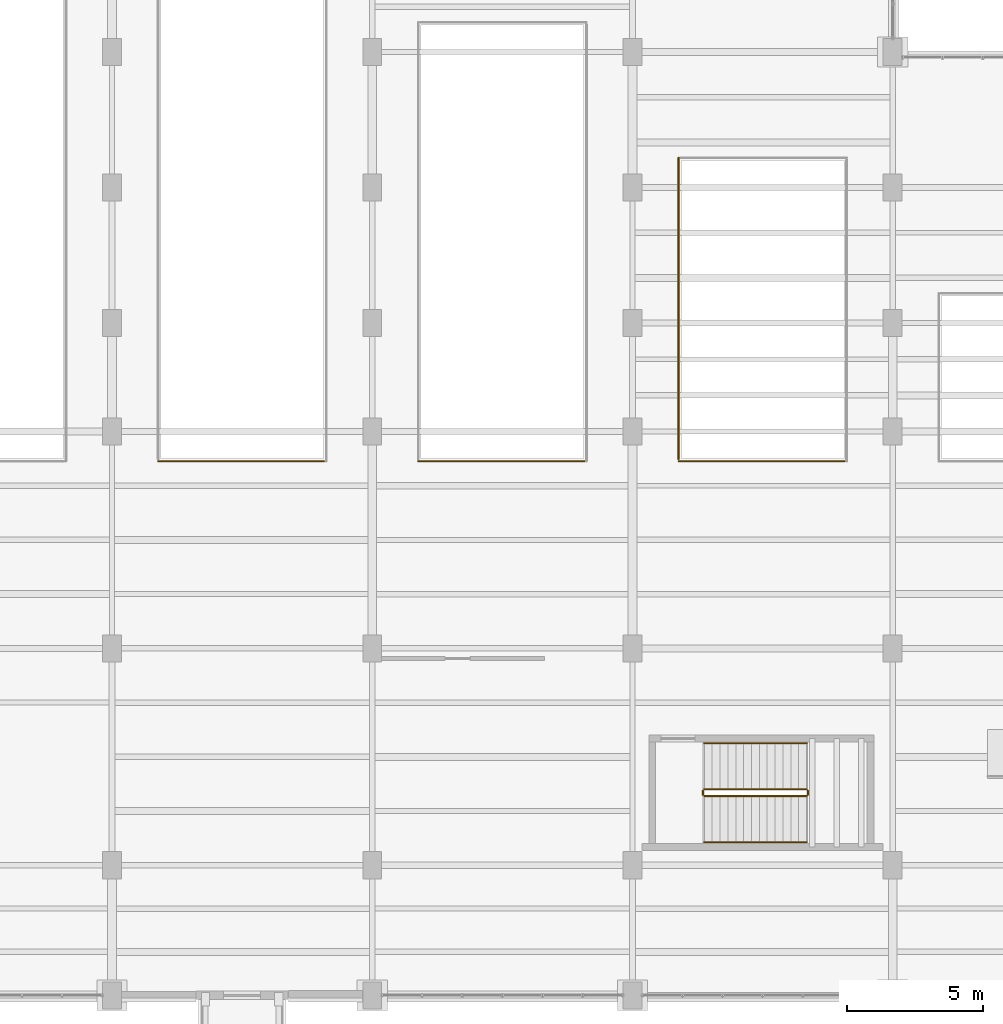
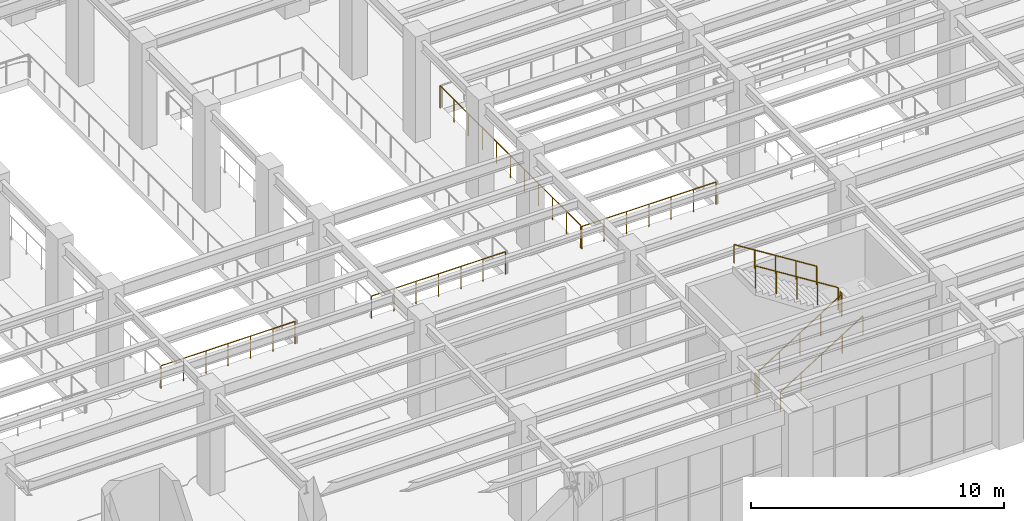
# One storey, part 172 of 174: 10 railings.
"""IFC4 building model written with IfcOpenShell, lengths in metres."""

from ifc_helpers import new_model, si_unit, direction, frame, origin, origin_2d, place, context, subcontext, project, spatial, circle, extrude, material, type_object, element, save


model = new_model("IFC4")

# Units and contexts
model_context = context("Model", 3, precision=1e-05, world=origin(), true_north=direction((0.0, 1.0)))
body_context = subcontext(model_context, "Body", "Model", "MODEL_VIEW")
ifc_project = project(units=[si_unit("LENGTHUNIT", "METRE"), si_unit("AREAUNIT", "SQUARE_METRE"), si_unit("VOLUMEUNIT", "CUBIC_METRE"), si_unit("PLANEANGLEUNIT", "RADIAN"), si_unit("MASSUNIT", "GRAM", prefix="KILO")], contexts=[model_context])

# Site, building, storey
site_placement = place(None, origin())
site = spatial("IfcSite", under=ifc_project, at=site_placement, CompositionType="ELEMENT")
building_placement = place(site_placement, origin())
building = spatial("IfcBuilding", under=site, at=building_placement, Name="Mavantir Sound Aquarium", CompositionType="ELEMENT")
storey_placement = place(building_placement, frame((0.0, 0.0, 5.39990234375)))
storey = spatial("IfcBuildingStorey", under=building, at=storey_placement, Name="L01", CompositionType="ELEMENT", Elevation=5.39990234375)

# Railings
ifc_material_1 = material(Name="Stainless Steel 316 and Laminated Glass Guardrail", Category="steel")
railing_type_1 = type_object("IfcRailingType", Name="RL-GUARD-110", PredefinedType="GUARDRAIL", material=ifc_material_1)
for number, where, name in (
    (1, (128.89990234375, 55.699951171875, 0.0), "L01 atrium void S guardrail 107"),
    (2, (138.5, 55.699951171875, 0.0), "L01 atrium void S guardrail 111"),
):
    element("IfcRailing", number, at=place(storey_placement, frame(where)), inside=storey, type_object=railing_type_1, Name=name, PredefinedType="GUARDRAIL", context=body_context, shape_type="SweptSolid", body=[
        extrude(circle(Radius=0.02392578125, at=origin_2d()), frame((0.0, 0.0, 1.076171875), z_axis=(1.0, 0.0, 0.0), x_axis=(0.0, 1.0, 0.0)), (0.0, 0.0, 1.0), 6.1201171875),
        extrude(circle(Radius=0.02099609375, at=origin_2d()), origin(), (0.0, 0.0, 1.0), 1.052001953125),
        extrude(circle(Radius=0.02099609375, at=origin_2d()), frame((1.02001953125, 0.0, 0.0)), (0.0, 0.0, 1.0), 1.052001953125),
        extrude(circle(Radius=0.02099609375, at=origin_2d()), frame((2.0400390625, 0.0, 0.0)), (0.0, 0.0, 1.0), 1.052001953125),
        extrude(circle(Radius=0.02099609375, at=origin_2d()), frame((3.06005859375, 0.0, 0.0)), (0.0, 0.0, 1.0), 1.052001953125),
        extrude(circle(Radius=0.02099609375, at=origin_2d()), frame((4.080078125, 0.0, 0.0)), (0.0, 0.0, 1.0), 1.052001953125),
        extrude(circle(Radius=0.02099609375, at=origin_2d()), frame((5.10009765625, 0.0, 0.0)), (0.0, 0.0, 1.0), 1.052001953125),
        extrude(circle(Radius=0.02099609375, at=origin_2d()), frame((6.1201171875, 0.0, 0.0)), (0.0, 0.0, 1.0), 1.052001953125),
    ])
railing_1_placement = place(storey_placement, frame((148.10009765625, 55.699951171875, 0.0)))
element("IfcRailing", 3, at=railing_1_placement, inside=storey, type_object=railing_type_1, Name="L01 atrium void S guardrail 115", PredefinedType="GUARDRAIL", context=body_context, shape_type="SweptSolid", body=[
    extrude(circle(Radius=0.02392578125, at=origin_2d()), frame((0.0, 0.0, 1.076171875), z_axis=(1.0, 0.0, 0.0), x_axis=(0.0, 1.0, 0.0)), (0.0, 0.0, 1.0), 6.119873046875),
    extrude(circle(Radius=0.02099609375, at=origin_2d()), origin(), (0.0, 0.0, 1.0), 1.052001953125),
    extrude(circle(Radius=0.02099609375, at=origin_2d()), frame((1.02001953125, 0.0, 0.0)), (0.0, 0.0, 1.0), 1.052001953125),
    extrude(circle(Radius=0.02099609375, at=origin_2d()), frame((2.0400390625, 0.0, 0.0)), (0.0, 0.0, 1.0), 1.052001953125),
    extrude(circle(Radius=0.02099609375, at=origin_2d()), frame((3.06005859375, 0.0, 0.0)), (0.0, 0.0, 1.0), 1.052001953125),
    extrude(circle(Radius=0.02099609375, at=origin_2d()), frame((4.079833984375, 0.0, 0.0)), (0.0, 0.0, 1.0), 1.052001953125),
    extrude(circle(Radius=0.02099609375, at=origin_2d()), frame((5.099853515625, 0.0, 0.0)), (0.0, 0.0, 1.0), 1.052001953125),
    extrude(circle(Radius=0.02099609375, at=origin_2d()), frame((6.119873046875, 0.0, 0.0)), (0.0, 0.0, 1.0), 1.052001953125),
])
railing_2_placement = place(storey_placement, frame((148.10009765625, 66.89990234375, 0.0)))
element("IfcRailing", 4, at=railing_2_placement, inside=storey, type_object=railing_type_1, Name="L01 atrium void W guardrail 118", PredefinedType="GUARDRAIL", context=body_context, shape_type="SweptSolid", body=[
    extrude(circle(Radius=0.02392578125, at=origin_2d()), frame((0.0, 0.0, 1.076171875), z_axis=(0.0, -1.0, 0.0), x_axis=(1.0, 0.0, 0.0)), (0.0, 0.0, 1.0), 11.119873046875),
    extrude(circle(Radius=0.02099609375, at=origin_2d()), origin(), (0.0, 0.0, 1.0), 1.052001953125),
    extrude(circle(Radius=0.02099609375, at=origin_2d()), frame((0.0, -1.112060546875, 0.0)), (0.0, 0.0, 1.0), 1.052001953125),
    extrude(circle(Radius=0.02099609375, at=origin_2d()), frame((0.0, -2.223876953125, 0.0)), (0.0, 0.0, 1.0), 1.052001953125),
    extrude(circle(Radius=0.02099609375, at=origin_2d()), frame((0.0, -3.3359375, 0.0)), (0.0, 0.0, 1.0), 1.052001953125),
    extrude(circle(Radius=0.02099609375, at=origin_2d()), frame((0.0, -4.447998046875, 0.0)), (0.0, 0.0, 1.0), 1.052001953125),
    extrude(circle(Radius=0.02099609375, at=origin_2d()), frame((0.0, -5.56005859375, 0.0)), (0.0, 0.0, 1.0), 1.052001953125),
    extrude(circle(Radius=0.02099609375, at=origin_2d()), frame((0.0, -6.671875, 0.0)), (0.0, 0.0, 1.0), 1.052001953125),
    extrude(circle(Radius=0.02099609375, at=origin_2d()), frame((0.0, -7.783935546875, 0.0)), (0.0, 0.0, 1.0), 1.052001953125),
    extrude(circle(Radius=0.02099609375, at=origin_2d()), frame((0.0, -8.89599609375, 0.0)), (0.0, 0.0, 1.0), 1.052001953125),
    extrude(circle(Radius=0.02099609375, at=origin_2d()), frame((0.0, -10.0078125, 0.0)), (0.0, 0.0, 1.0), 1.052001953125),
    extrude(circle(Radius=0.02099609375, at=origin_2d()), frame((0.0, -11.119873046875, 0.0)), (0.0, 0.0, 1.0), 1.052001953125),
])
railing_3_placement = place(storey_placement, frame((149.050048828125, 43.35009765625, 0.18212890625)))
element("IfcRailing", 5, at=railing_3_placement, inside=storey, type_object=railing_type_1, Name="L01 ST12 stair guard 1", PredefinedType="GUARDRAIL", context=body_context, shape_type="SweptSolid", body=[
    extrude(circle(Radius=0.02392578125, at=origin_2d()), frame((0.0, 0.0, 1.076171875), z_axis=(0.846819337722, 0.0, 0.53188063441), x_axis=(0.0, 1.0, 0.0)), (0.0, 0.0, 1.0), 4.451904296875),
    extrude(circle(Radius=0.02099609375, at=origin_2d()), origin(), (0.0, 0.0, 1.0), 1.052001953125),
    extrude(circle(Radius=0.02099609375, at=origin_2d()), frame((0.9423828125, 0.0, 0.592041015625)), (0.0, 0.0, 1.0), 1.052001953125),
    extrude(circle(Radius=0.02099609375, at=origin_2d()), frame((1.885009765625, 0.0, 1.18408203125)), (0.0, 0.0, 1.0), 1.052001953125),
    extrude(circle(Radius=0.02099609375, at=origin_2d()), frame((2.82763671875, 0.0, 1.77587890625)), (0.0, 0.0, 1.0), 1.052001953125),
    extrude(circle(Radius=0.02099609375, at=origin_2d()), frame((3.77001953125, 0.0, 2.367919921875)), (0.0, 0.0, 1.0), 1.052001953125),
])
railing_4_placement = place(storey_placement, frame((152.8701171875, 43.39990234375, 2.550048828125)))
element("IfcRailing", 6, at=railing_4_placement, inside=storey, type_object=railing_type_1, Name="L01 ST12 stair guard 2", PredefinedType="GUARDRAIL", context=body_context, shape_type="SweptSolid", body=[
    extrude(circle(Radius=0.02392578125, at=origin_2d()), frame((0.0, 0.0, 1.076171875), z_axis=(0.0, 1.0, 0.0), x_axis=(-1.0, 0.0, 0.0)), (0.0, 0.0, 1.0), 0.150146484375),
    extrude(circle(Radius=0.02099609375, at=origin_2d()), origin(), (0.0, 0.0, 1.0), 1.052001953125),
    extrude(circle(Radius=0.02099609375, at=origin_2d()), frame((0.0, 0.150146484375, 0.0)), (0.0, 0.0, 1.0), 1.052001953125),
])
railing_5_placement = place(storey_placement, frame((152.820068359375, 43.60009765625, 2.732177734375)))
element("IfcRailing", 7, at=railing_5_placement, inside=storey, type_object=railing_type_1, Name="L01 ST12 stair guard 3", PredefinedType="GUARDRAIL", context=body_context, shape_type="SweptSolid", body=[
    extrude(circle(Radius=0.02392578125, at=origin_2d()), frame((0.0, 0.0, 1.076171875), z_axis=(-0.846819337722, 0.0, 0.53188063441), x_axis=(0.0, -1.0, 0.0)), (0.0, 0.0, 1.0), 4.451904296875),
    extrude(circle(Radius=0.02099609375, at=origin_2d()), origin(), (0.0, 0.0, 1.0), 1.052001953125),
    extrude(circle(Radius=0.02099609375, at=origin_2d()), frame((-0.9423828125, 0.0, 0.592041015625)), (0.0, 0.0, 1.0), 1.052001953125),
    extrude(circle(Radius=0.02099609375, at=origin_2d()), frame((-1.885009765625, 0.0, 1.18408203125)), (0.0, 0.0, 1.0), 1.052001953125),
    extrude(circle(Radius=0.02099609375, at=origin_2d()), frame((-2.82763671875, 0.0, 1.77587890625)), (0.0, 0.0, 1.0), 1.052001953125),
    extrude(circle(Radius=0.02099609375, at=origin_2d()), frame((-3.77001953125, 0.0, 2.367919921875)), (0.0, 0.0, 1.0), 1.052001953125),
])
railing_6_placement = place(storey_placement, frame((149.0, 43.39990234375, 0.0)))
element("IfcRailing", 8, at=railing_6_placement, inside=storey, type_object=railing_type_1, Name="L01 ST12 stair guard 4", PredefinedType="GUARDRAIL", context=body_context, shape_type="SweptSolid", body=[
    extrude(circle(Radius=0.02392578125, at=origin_2d()), frame((0.0, 0.0, 1.076171875), z_axis=(0.0, 1.0, 0.0), x_axis=(-1.0, 0.0, 0.0)), (0.0, 0.0, 1.0), 0.150146484375),
    extrude(circle(Radius=0.02099609375, at=origin_2d()), origin(), (0.0, 0.0, 1.0), 1.052001953125),
    extrude(circle(Radius=0.02099609375, at=origin_2d()), frame((0.0, 0.150146484375, 0.0)), (0.0, 0.0, 1.0), 1.052001953125),
])
ifc_material_2 = material(Name="Brushed Stainless Steel 316 Handrail", Category="steel")
railing_type_2 = type_object("IfcRailingType", Name="RL-HR-90", PredefinedType="HANDRAIL", material=ifc_material_2)
railing_7_placement = place(storey_placement, frame((149.050048828125, 41.64990234375, 0.3671875)))
element("IfcRailing", 9, at=railing_7_placement, inside=storey, type_object=railing_type_2, Name="L01 ST12 stair handrail 1", PredefinedType="HANDRAIL", context=body_context, shape_type="SweptSolid", body=[
    extrude(circle(Radius=0.02392578125, at=origin_2d()), frame((0.0, 0.0, 0.89111328125), z_axis=(0.846819337722, 0.0, 0.53188063441), x_axis=(0.0, 1.0, 0.0)), (0.0, 0.0, 1.0), 4.451904296875),
    extrude(circle(Radius=0.02099609375, at=origin_2d()), origin(), (0.0, 0.0, 1.0), 0.866943359375),
    extrude(circle(Radius=0.02099609375, at=origin_2d()), frame((0.9423828125, 0.0, 0.592041015625)), (0.0, 0.0, 1.0), 0.866943359375),
    extrude(circle(Radius=0.02099609375, at=origin_2d()), frame((1.885009765625, 0.0, 1.18408203125)), (0.0, 0.0, 1.0), 0.866943359375),
    extrude(circle(Radius=0.02099609375, at=origin_2d()), frame((2.82763671875, 0.0, 1.77587890625)), (0.0, 0.0, 1.0), 0.866943359375),
    extrude(circle(Radius=0.02099609375, at=origin_2d()), frame((3.77001953125, 0.0, 2.367919921875)), (0.0, 0.0, 1.0), 0.866943359375),
])
railing_8_placement = place(storey_placement, frame((152.820068359375, 45.300048828125, 2.917236328125)))
element("IfcRailing", 10, at=railing_8_placement, inside=storey, type_object=railing_type_2, Name="L01 ST12 stair handrail 2", PredefinedType="HANDRAIL", context=body_context, shape_type="SweptSolid", body=[
    extrude(circle(Radius=0.02392578125, at=origin_2d()), frame((0.0, 0.0, 0.89111328125), z_axis=(-0.846819337722, 0.0, 0.53188063441), x_axis=(0.0, -1.0, 0.0)), (0.0, 0.0, 1.0), 4.451904296875),
    extrude(circle(Radius=0.02099609375, at=origin_2d()), origin(), (0.0, 0.0, 1.0), 0.866943359375),
    extrude(circle(Radius=0.02099609375, at=origin_2d()), frame((-0.9423828125, 0.0, 0.592041015625)), (0.0, 0.0, 1.0), 0.866943359375),
    extrude(circle(Radius=0.02099609375, at=origin_2d()), frame((-1.885009765625, 0.0, 1.18408203125)), (0.0, 0.0, 1.0), 0.866943359375),
    extrude(circle(Radius=0.02099609375, at=origin_2d()), frame((-2.82763671875, 0.0, 1.77587890625)), (0.0, 0.0, 1.0), 0.866943359375),
    extrude(circle(Radius=0.02099609375, at=origin_2d()), frame((-3.77001953125, 0.0, 2.367919921875)), (0.0, 0.0, 1.0), 0.866943359375),
])

save(model, "model.ifc")
